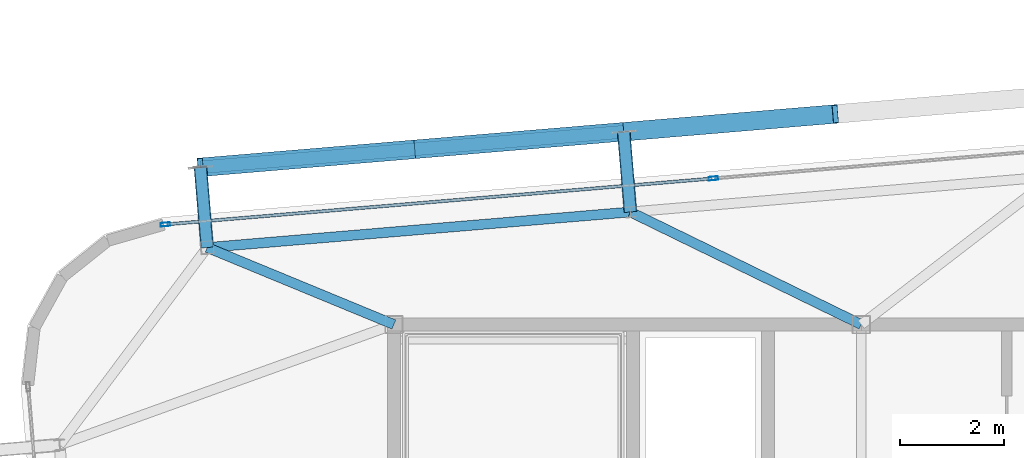
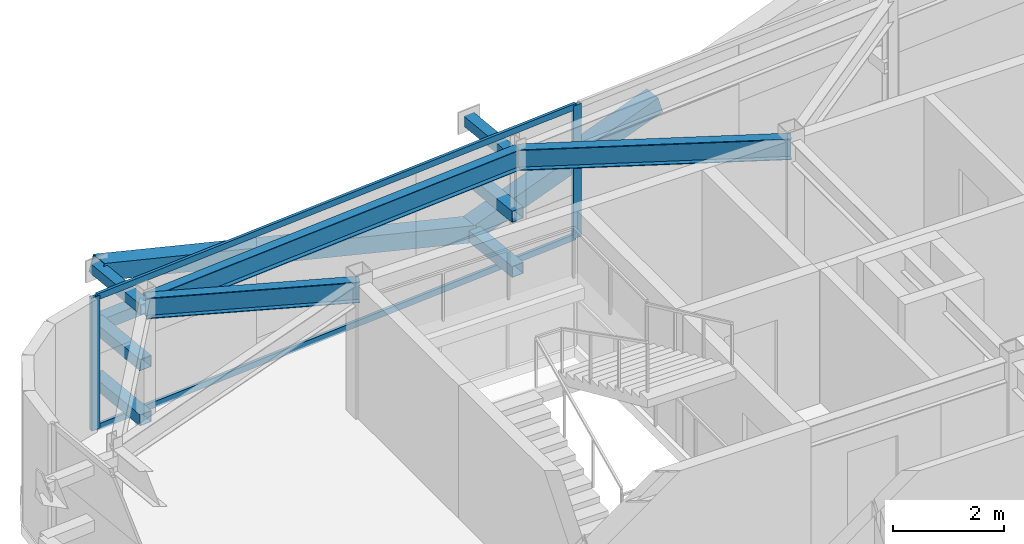
# One storey, part 21 of 37: 14 members, 3 beams, 1 element without a shape of its own.
"""IFC4 building model written with IfcOpenShell, lengths in metres."""

import ifcopenshell
import ifcopenshell.guid

model = None  # the IFC model being written
_history = None  # IfcOwnerHistory: only IFC2X3 demands one
_inside = {}  # id of a spatial element -> (the spatial element, [elements in it])
_under = {}  # id of a project, library or spatial element -> (it, [spatial elements below it])
_declared = {}  # id of a project -> (the project, [libraries it declares])
_typed = {}  # id of a type object -> (the type object, [elements of that type])
_made_of = {}  # id of a material, layer set ... -> (it, [elements and type objects made of it])


def new_model(schema):
    """Start an empty IFC model of exactly this schema.

    Asked for "IFC4X3", IfcOpenShell would pick the latest addendum, in which some entities
    have other attributes; the version numbers below select the first issue.
    IFC2X3 requires an IfcOwnerHistory on every rooted entity: one is made here for all.
    """
    global model, _history
    if schema == "IFC4X3":
        model = ifcopenshell.file(schema_version=(4, 3, 0, 0))
    else:
        model = ifcopenshell.file(schema=schema)
    _inside.clear()
    _under.clear()
    _declared.clear()
    _typed.clear()
    _made_of.clear()
    _history = None
    if model.schema == "IFC2X3":
        org = make("IfcOrganization", Name="unknown")
        user = make(
            "IfcPersonAndOrganization",
            ThePerson=make("IfcPerson", FamilyName="unknown"),
            TheOrganization=org,
        )
        app = make(
            "IfcApplication",
            ApplicationDeveloper=org,
            Version="unknown",
            ApplicationFullName="unknown",
            ApplicationIdentifier="unknown",
        )
        _history = make(
            "IfcOwnerHistory",
            OwningUser=user,
            OwningApplication=app,
            ChangeAction="ADDED",
            CreationDate=0,
        )
    return model


def make(cls, **values):
    """One entity of the class cls with the attributes given. An attribute that is None is left unset."""
    return model.create_entity(
        cls, **{name: value for name, value in values.items() if value is not None}
    )


def rooted(cls, **values):
    """An entity with a GlobalId (a new one), such as an element, a storey or a relation."""
    return make(cls, GlobalId=ifcopenshell.guid.new(), OwnerHistory=_history, **values)


def si_unit(unit_type, name, prefix=None):
    """IfcSIUnit, for example si_unit("LENGTHUNIT", "METRE", prefix="MILLI")."""
    return make("IfcSIUnit", UnitType=unit_type, Prefix=prefix, Name=name)


def assignment(units):
    """IfcUnitAssignment: the units of a project."""
    return None if units is None else make("IfcUnitAssignment", Units=units)


def point(xyz):
    """IfcCartesianPoint."""
    return None if xyz is None else make("IfcCartesianPoint", Coordinates=xyz)


def direction(xyz):
    """IfcDirection."""
    return None if xyz is None else make("IfcDirection", DirectionRatios=xyz)


def frame(location, z_axis=None, x_axis=None):
    """IfcAxis2Placement3D, a coordinate frame: its origin and axes. An axis left out is left unset."""
    return make(
        "IfcAxis2Placement3D",
        Location=point(location),
        Axis=direction(z_axis),
        RefDirection=direction(x_axis),
    )


def frame_2d(location, x_axis=None):
    """IfcAxis2Placement2D, a coordinate frame in the plane: its origin and x axis."""
    return make(
        "IfcAxis2Placement2D", Location=point(location), RefDirection=direction(x_axis)
    )


def origin():
    """The frame at (0, 0, 0) with its axes left unset."""
    return frame((0.0, 0.0, 0.0))


def origin_2d():
    """The frame at (0, 0) in the plane with its x axis left unset."""
    return frame_2d((0.0, 0.0))


def place(relative_to, where):
    """IfcLocalPlacement: puts the frame where relative to a parent placement (None: the world)."""
    return make(
        "IfcLocalPlacement", PlacementRelTo=relative_to, RelativePlacement=where
    )


def context(
    kind, dimensions, precision=None, world=None, true_north=None, identifier=None
):
    """IfcGeometricRepresentationContext, for example the 3D "Model" context."""
    return make(
        "IfcGeometricRepresentationContext",
        ContextIdentifier=identifier,
        ContextType=kind,
        CoordinateSpaceDimension=dimensions,
        Precision=precision,
        WorldCoordinateSystem=world,
        TrueNorth=true_north,
    )


def subcontext(parent, identifier, kind, view, scale=None):
    """IfcGeometricRepresentationSubContext, for example "Body" below "Model"."""
    return make(
        "IfcGeometricRepresentationSubContext",
        ContextIdentifier=identifier,
        ContextType=kind,
        ParentContext=parent,
        TargetScale=scale,
        TargetView=view,
    )


def project(units=None, contexts=None):
    """IfcProject with its units and contexts."""
    return rooted(
        "IfcProject",
        Name="project",
        RepresentationContexts=contexts,
        UnitsInContext=assignment(units),
    )


def spatial(cls, under=None, at=None, **own):
    """A site, building, storey or space (cls), placed at a placement, below another one or the project."""
    s = rooted(cls, ObjectPlacement=at, **own)
    if under is not None:
        _under.setdefault(under.id(), (under, []))[1].append(s)
    return s


def profile(cls, at=None, kind="AREA", **sizes):
    """A parametric profile (cls). Its sizes go by their IFC names, for example OverallWidth=200.0."""
    return make(cls, ProfileType=kind, Position=at, **sizes)


def hollow_rectangle(**sizes):
    """IfcRectangleHollowProfileDef."""
    return profile("IfcRectangleHollowProfileDef", **sizes)


def i_section(**sizes):
    """IfcIShapeProfileDef."""
    return profile("IfcIShapeProfileDef", **sizes)


def extrude(swept, where, along, depth):
    """IfcExtrudedAreaSolid: the profile swept, set in the frame where, extruded along a direction by depth."""
    return make(
        "IfcExtrudedAreaSolid",
        SweptArea=swept,
        Position=where,
        ExtrudedDirection=direction(along),
        Depth=depth,
    )


def shape(context_of_items, identifier, shape_type, items):
    """IfcShapeRepresentation: the items that make up one representation, for example the "Body"."""
    return make(
        "IfcShapeRepresentation",
        ContextOfItems=context_of_items,
        RepresentationIdentifier=identifier,
        RepresentationType=shape_type,
        Items=items,
    )


def source(mapping_origin, context_of_items, identifier, shape_type, items):
    """IfcRepresentationMap: a shape defined once, which mapped items show again and again."""
    return make(
        "IfcRepresentationMap",
        MappingOrigin=mapping_origin,
        MappedRepresentation=shape(context_of_items, identifier, shape_type, items),
    )


def transform(
    local_origin,
    x_axis=None,
    y_axis=None,
    z_axis=None,
    scale=None,
    scale2=None,
    scale3=None,
    uniform=True,
):
    """IfcCartesianTransformationOperator3D, or its non-uniform kind. x_axis, y_axis, z_axis: its Axis1, 2, 3."""
    if uniform:
        return make(
            "IfcCartesianTransformationOperator3D",
            Axis1=direction(x_axis),
            Axis2=direction(y_axis),
            LocalOrigin=point(local_origin),
            Scale=scale,
            Axis3=direction(z_axis),
        )
    return make(
        "IfcCartesianTransformationOperator3DnonUniform",
        Axis1=direction(x_axis),
        Axis2=direction(y_axis),
        LocalOrigin=point(local_origin),
        Scale=scale,
        Axis3=direction(z_axis),
        Scale2=scale2,
        Scale3=scale3,
    )


def mapped(mapping_source, mapping_target):
    """IfcMappedItem: shows the shape of a source again, moved by a transform."""
    return make(
        "IfcMappedItem", MappingSource=mapping_source, MappingTarget=mapping_target
    )


def material(Name=None, Category=None):
    """IfcMaterial."""
    return make("IfcMaterial", Name=Name, Category=Category)


def layer(
    of_material, thickness, ventilated=None, Name=None, Category=None, Priority=None
):
    """IfcMaterialLayer: one layer of a wall or slab, of a material (None: an air gap)."""
    return make(
        "IfcMaterialLayer",
        Material=of_material,
        LayerThickness=thickness,
        IsVentilated=ventilated,
        Name=Name,
        Category=Category,
        Priority=Priority,
    )


def layer_set(layers, Name=None):
    """IfcMaterialLayerSet."""
    return make("IfcMaterialLayerSet", MaterialLayers=layers, LayerSetName=Name)


def material_profile(
    of_material, cross_section, Name=None, Category=None, Priority=None
):
    """IfcMaterialProfile: a cross section and its material."""
    return make(
        "IfcMaterialProfile",
        Name=Name,
        Material=of_material,
        Profile=cross_section,
        Priority=Priority,
        Category=Category,
    )


def profile_set(profiles, Name=None, composite=None):
    """IfcMaterialProfileSet."""
    return make(
        "IfcMaterialProfileSet",
        Name=Name,
        MaterialProfiles=profiles,
        CompositeProfile=composite,
    )


def made_of(thing, what):
    """Note that an element or type object is made of a material, layer set ...; save() writes the relation."""
    if what is not None:
        _made_of.setdefault(what.id(), (what, []))[1].append(thing)
    return thing


def type_object(cls, material=None, **own):
    """A type object (cls), such as IfcWallType, which elements share."""
    return made_of(rooted(cls, **own), material)


def element(
    cls,
    number,
    at=None,
    inside=None,
    cuts=None,
    type_object=None,
    material=None,
    context=None,
    identifier="Body",
    shape_type=None,
    held_by="IfcProductDefinitionShape",
    body=None,
    shapes=None,
    **own,
):
    """One element of the class cls, such as IfcWall. Its Tag is "e" and its number.

    at: its placement. inside: the storey or other place that contains it. cuts: it is an
    opening in that element (IfcRelVoidsElement). A single representation is given by context,
    identifier, shape_type and body (its items); several are given by shapes. held_by: the class
    of the entity that holds the representations. save() writes the other relations.
    """
    e = rooted(cls, Tag="e%d" % number, ObjectPlacement=at, **own)
    if body is not None:
        shapes = [shape(context, identifier, shape_type, body)]
    if shapes is not None:
        e.Representation = make(held_by, Representations=shapes)
    if inside is not None:
        _inside.setdefault(inside.id(), (inside, []))[1].append(e)
    if cuts is not None:
        rooted(
            "IfcRelVoidsElement", RelatingBuildingElement=cuts, RelatedOpeningElement=e
        )
    if type_object is not None:
        _typed.setdefault(type_object.id(), (type_object, []))[1].append(e)
    return made_of(e, material)


def aggregate(whole, parts):
    """IfcRelAggregates: a whole, such as a stair, and the parts it consists of."""
    return rooted("IfcRelAggregates", RelatingObject=whole, RelatedObjects=parts)


def save(model, path):
    """Write the relations noted so far, then the file.

    IfcRelAggregates (storeys below a building ...), IfcRelContainedInSpatialStructure (elements
    in a storey), IfcRelDefinesByType, IfcRelAssociatesMaterial and IfcRelDeclares: one each for
    every whole, place, type object, material and project.
    """
    for whole, parts in _under.values():
        aggregate(whole, parts)
    for where, things in _inside.values():
        rooted(
            "IfcRelContainedInSpatialStructure",
            RelatedElements=things,
            RelatingStructure=where,
        )
    for kind, things in _typed.values():
        rooted("IfcRelDefinesByType", RelatedObjects=things, RelatingType=kind)
    for what, things in _made_of.values():
        rooted("IfcRelAssociatesMaterial", RelatedObjects=things, RelatingMaterial=what)
    for by, libraries in _declared.values():
        rooted("IfcRelDeclares", RelatingContext=by, RelatedDefinitions=libraries)
    model.write(path)


model = new_model("IFC4")

# Units and contexts
model_context = context("Model", 3, precision=1e-05, world=origin(), true_north=direction((0.0, 1.0)))
body_context = subcontext(model_context, "Body", "Model", "MODEL_VIEW")
ifc_project = project(units=[si_unit("LENGTHUNIT", "METRE"), si_unit("AREAUNIT", "SQUARE_METRE"), si_unit("VOLUMEUNIT", "CUBIC_METRE"), si_unit("PLANEANGLEUNIT", "RADIAN"), si_unit("MASSUNIT", "GRAM", prefix="KILO")], contexts=[model_context])

# Site, building, storey
site_placement = place(None, origin())
site = spatial("IfcSite", under=ifc_project, at=site_placement, CompositionType="ELEMENT")
building_placement = place(site_placement, origin())
building = spatial("IfcBuilding", under=site, at=building_placement, Name="Taldren Reach Tower", CompositionType="ELEMENT")
storey_placement = place(building_placement, frame((0.0, 0.0, 200.89990234375)))
storey = spatial("IfcBuildingStorey", under=building, at=storey_placement, Name="L61", CompositionType="ELEMENT", Elevation=200.89990234375)

# Members
ifc_material_1 = material(Name="Steel Gr 350 (C350L0)", Category="steel")
ifc_material_profile_1 = material_profile(ifc_material_1, hollow_rectangle(XDim=0.25, YDim=0.25, WallThickness=0.010009765625, at=origin_2d()), Name="250x250x10.0SHS")
ifc_profile_set_1 = profile_set([ifc_material_profile_1], Name="Steel Gr 350 (C350L0)")
member_type_1 = type_object("IfcMemberType", Name="MB-POST250", PredefinedType="POST", material=ifc_profile_set_1)
shared_shape_1 = source(origin(), body_context, "Body", "SweptSolid", [
    extrude(hollow_rectangle(XDim=0.25, YDim=0.25, WallThickness=0.010009765625, at=origin_2d()), origin(), (0.0, 0.0, 1.0), 1.5498046875),
])
for number, where, z_axis, x_axis, name in (
    (1, (15.40380859375, 33.483642578125, 0.22021484375), (-0.083645141657, 0.996495604746, 0.0), (-0.996495604746, -0.083645141657, 0.0), "Exoskeleton base diaphragm tie strut B4-N1 L61"),
    (2, (15.40380859375, 33.483642578125, 1.43505859375), (-0.083645141657, 0.996495604746, 0.0), (-0.996495604746, -0.083645141657, 0.0), "Exoskeleton mid-tier diaphragm tie B4-N1 L61"),
):
    element("IfcMember", number, at=place(storey_placement, frame(where, z_axis=z_axis, x_axis=x_axis)), inside=storey, type_object=member_type_1, Name=name, PredefinedType="POST", context=body_context, shape_type="MappedRepresentation", body=[
        mapped(shared_shape_1, transform((0.0, 0.0, 0.0), scale=1.0)),
    ])
shared_shape_2 = source(origin(), body_context, "Body", "SweptSolid", [
    extrude(hollow_rectangle(XDim=0.25, YDim=0.25, WallThickness=0.010009765625, at=origin_2d()), origin(), (0.0, 0.0, 1.0), 1.550048828125),
])
for number, where, z_axis, x_axis, name in (
    (3, (23.55517578125, 34.16796875, 0.22021484375), (-0.083788408178, 0.996483568683, 0.0), (-0.996483568683, -0.083788408178, 0.0), "Exoskeleton base diaphragm tie strut B4-N2 L61"),
    (4, (23.55517578125, 34.16796875, 1.43505859375), (-0.083788408178, 0.996483568683, 0.0), (-0.996483568683, -0.083788408178, 0.0), "Exoskeleton mid-tier diaphragm tie B4-N2 L61"),
):
    element("IfcMember", number, at=place(storey_placement, frame(where, z_axis=z_axis, x_axis=x_axis)), inside=storey, type_object=member_type_1, Name=name, PredefinedType="POST", context=body_context, shape_type="MappedRepresentation", body=[
        mapped(shared_shape_2, transform((0.0, 0.0, 0.0), scale=1.0)),
    ])

# Beams
ifc_material_2 = material(Name="Steel Gr 350 (350PLUS)", Category="steel")
ifc_material_profile_2 = material_profile(ifc_material_2, i_section(OverallWidth=0.18994140625, OverallDepth=0.4541015625, WebThickness=0.008544921875, FlangeThickness=0.0126953125, at=origin_2d()), Name="460UB67.1")
ifc_profile_set_2 = profile_set([ifc_material_profile_2], Name="Steel Gr 350 (350PLUS)")
beam_type_1 = type_object("IfcBeamType", Name="SP-UB460B", PredefinedType="SPANDREL", material=ifc_profile_set_2)
shared_shape_3 = source(origin(), body_context, "Body", "SweptSolid", [
    extrude(i_section(OverallWidth=0.18994140625, OverallDepth=0.4541015625, WebThickness=0.008544921875, FlangeThickness=0.0126953125, at=origin_2d()), origin(), (0.0, 0.0, 1.0), 8.179931640625),
])
beam_1_placement = place(storey_placement, frame((23.55517578125, 34.16796875, 2.703125), z_axis=(-0.996494523218, -0.083658025296, 0.0), x_axis=(0.083658025296, -0.996494523218, 0.0)))
element("IfcBeam", 5, at=beam_1_placement, inside=storey, type_object=beam_type_1, Name="Perimeter spandrel B4 N2-N1 L61", PredefinedType="SPANDREL", context=body_context, shape_type="MappedRepresentation", body=[
    mapped(shared_shape_3, transform((0.0, 0.0, 0.0), scale=1.0)),
])
ifc_material_profile_3 = material_profile(ifc_material_2, i_section(OverallWidth=0.19091796875, OverallDepth=0.4599609375, WebThickness=0.010009765625, FlangeThickness=0.01611328125, at=origin_2d()), Name="460UB82.1")
ifc_profile_set_3 = profile_set([ifc_material_profile_3], Name="Steel Gr 350 (350PLUS)")
beam_type_2 = type_object("IfcBeamType", Name="BM-UB460A", PredefinedType="BEAM", material=ifc_profile_set_3)
shared_shape_4 = source(origin(), body_context, "Body", "SweptSolid", [
    extrude(i_section(OverallWidth=0.19091796875, OverallDepth=0.4599609375, WebThickness=0.010009765625, FlangeThickness=0.01611328125, at=origin_2d()), origin(), (0.0, 0.0, 1.0), 4.9453125),
])
beam_2_placement = place(storey_placement, frame((28.0, 32.0, 2.7001953125), z_axis=(-0.898787423235, 0.438384725823, 0.0), x_axis=(-0.438384725823, -0.898787423235, 0.0)))
element("IfcBeam", 6, at=beam_2_placement, inside=storey, type_object=beam_type_2, Name="Primary floor girder B4-N2 L61", PredefinedType="BEAM", context=body_context, shape_type="MappedRepresentation", body=[
    mapped(shared_shape_4, transform((0.0, 0.0, 0.0), scale=1.0)),
])
shared_shape_5 = source(origin(), body_context, "Body", "SweptSolid", [
    extrude(i_section(OverallWidth=0.19091796875, OverallDepth=0.4599609375, WebThickness=0.010009765625, FlangeThickness=0.01611328125, at=origin_2d()), origin(), (0.0, 0.0, 1.0), 3.89013671875),
])
beam_3_placement = place(storey_placement, frame((19.0, 32.0, 2.7001953125), z_axis=(-0.924419242179, 0.381377850287, 0.0), x_axis=(-0.381377850287, -0.924419242179, 0.0)))
element("IfcBeam", 7, at=beam_3_placement, inside=storey, type_object=beam_type_2, Name="Primary floor girder B4-N1 L61", PredefinedType="BEAM", context=body_context, shape_type="MappedRepresentation", body=[
    mapped(shared_shape_5, transform((0.0, 0.0, 0.0), scale=1.0)),
])

# Members
ifc_material_3 = material(Name="Steel Gr 450 (C450L0)", Category="steel")
ifc_material_profile_4 = material_profile(ifc_material_3, hollow_rectangle(XDim=0.219970703125, YDim=0.219970703125, WallThickness=0.00830078125, at=origin_2d()), Name="220x220x8.2SHS")
ifc_profile_set_4 = profile_set([ifc_material_profile_4], Name="Steel Gr 450 (C450L0)")
member_type_2 = type_object("IfcMemberType", Name="MB-TIE219", PredefinedType="STRUT", material=ifc_profile_set_4)
shared_shape_6 = source(origin(), body_context, "Body", "SweptSolid", [
    extrude(hollow_rectangle(XDim=0.219970703125, YDim=0.219970703125, WallThickness=0.00830078125, at=origin_2d()), origin(), (0.0, 0.0, 1.0), 1.5498046875),
])
member_1_placement = place(storey_placement, frame((15.40380859375, 33.483642578125, 2.650146484375), z_axis=(-0.083645141657, 0.996495604746, 0.0), x_axis=(-0.996495604746, -0.083645141657, 0.0)))
element("IfcMember", 8, at=member_1_placement, inside=storey, type_object=member_type_2, Name="Exoskeleton diaphragm tie strut B4-N1 L61", PredefinedType="STRUT", context=body_context, shape_type="MappedRepresentation", body=[
    mapped(shared_shape_6, transform((0.0, 0.0, 0.0), scale=1.0)),
])
shared_shape_7 = source(origin(), body_context, "Body", "SweptSolid", [
    extrude(hollow_rectangle(XDim=0.219970703125, YDim=0.219970703125, WallThickness=0.00830078125, at=origin_2d()), origin(), (0.0, 0.0, 1.0), 1.550048828125),
])
member_2_placement = place(storey_placement, frame((23.55517578125, 34.16796875, 2.650146484375), z_axis=(-0.083788408178, 0.996483568683, 0.0), x_axis=(-0.996483568683, -0.083788408178, 0.0)))
element("IfcMember", 9, at=member_2_placement, inside=storey, type_object=member_type_2, Name="Exoskeleton diaphragm tie strut B4-N2 L61", PredefinedType="STRUT", context=body_context, shape_type="MappedRepresentation", body=[
    mapped(shared_shape_7, transform((0.0, 0.0, 0.0), scale=1.0)),
])
shared_shape_8 = source(origin(), body_context, "Body", "SweptSolid", [
    extrude(hollow_rectangle(XDim=0.25, YDim=0.25, WallThickness=0.010009765625, at=origin_2d()), origin(), (0.0, 0.0, 1.0), 8.179931640625),
])
member_3_placement = place(storey_placement, frame((15.274169921875, 35.028076171875, 1.43505859375), z_axis=(0.99649182565, 0.08369015123, 0.0), x_axis=(-0.08369015123, 0.99649182565, 0.0)))
element("IfcMember", 10, at=member_3_placement, inside=storey, type_object=member_type_1, Name="Exoskeleton mid-height ring chord B4-N1 L61", PredefinedType="POST", context=body_context, shape_type="MappedRepresentation", body=[
    mapped(shared_shape_8, transform((0.0, 0.0, 0.0), scale=1.0)),
])
ifc_material_profile_5 = material_profile(ifc_material_3, hollow_rectangle(XDim=0.360107421875, YDim=0.360107421875, WallThickness=0.0126953125, at=origin_2d()), Name="360x360x12.7SHS")
ifc_profile_set_5 = profile_set([ifc_material_profile_5], Name="Steel Gr 450 (C450L0)")
member_type_3 = type_object("IfcMemberType", Name="MB-EXO356", PredefinedType="BRACE", material=ifc_profile_set_5)
shared_shape_9 = source(origin(), body_context, "Body", "SweptSolid", [
    extrude(hollow_rectangle(XDim=0.360107421875, YDim=0.360107421875, WallThickness=0.0126953125, at=origin_2d()), origin(), (0.0, 0.0, 1.0), 4.2666015625),
])
for number, where, z_axis, x_axis, name in (
    (11, (19.349853515625, 35.370361328125, 1.43505859375), (-0.955229159097, -0.080222312271, 0.284783486572), (0.083687662192, -0.996492034688, 0.0), "Exoskeleton Diagrid Brace B4-N1 L61"),
    (12, (23.42529296875, 35.712646484375, 0.22021484375), (0.955244723646, 0.080223619417, 0.284730906006), (-0.083687662192, 0.996492034688, 0.0), "Exoskeleton Diagrid Brace B4-N2 L61"),
):
    element("IfcMember", number, at=place(storey_placement, frame(where, z_axis=z_axis, x_axis=x_axis)), inside=storey, type_object=member_type_3, Name=name, PredefinedType="BRACE", context=body_context, shape_type="MappedRepresentation", body=[
        mapped(shared_shape_9, transform((0.0, 0.0, 0.0), scale=1.0)),
    ])
shared_shape_10 = source(origin(), body_context, "Body", "SweptSolid", [
    extrude(hollow_rectangle(XDim=0.360107421875, YDim=0.360107421875, WallThickness=0.0126953125, at=origin_2d()), origin(), (0.0, 0.0, 1.0), 4.266357421875),
])
member_4_placement = place(storey_placement, frame((23.42529296875, 35.712646484375, 0.22021484375), z_axis=(-0.955239715981, -0.080228004661, 0.28474647018), x_axis=(0.083692640416, -0.996491616593, 0.0)))
element("IfcMember", 13, at=member_4_placement, inside=storey, type_object=member_type_3, Name="Exoskeleton Diagrid Brace B4-N1 L61", PredefinedType="BRACE", context=body_context, shape_type="MappedRepresentation", body=[
    mapped(shared_shape_10, transform((0.0, 0.0, 0.0), scale=1.0)),
])

# Curtain wall, members
ifc_material_4 = material(Name="Aluminium and Low-E Glass Unitised System", Category="aluminium")
ifc_layer = layer(ifc_material_4, 0.159912109375)
ifc_layer_set = layer_set([ifc_layer], Name="Aluminium and Low-E Glass Unitised System")
curtain_wall_type = type_object("IfcCurtainWallType", Name="CW-SYS-5", PredefinedType="NOTDEFINED", material=ifc_layer_set)
curtain_wall_placement = place(storey_placement, origin())
curtain_wall = element("IfcCurtainWall", 14, at=curtain_wall_placement, inside=storey, type_object=curtain_wall_type, Name="Unitised curtain wall CW-L61-N", PredefinedType="NOTDEFINED")
ifc_material_5 = material(Name="Anodised Aluminium 6063-T6", Category="aluminium")
ifc_material_profile_6 = material_profile(ifc_material_5, hollow_rectangle(XDim=0.070068359375, YDim=0.179931640625, WallThickness=0.00390625, at=origin_2d()), Name="ALU-180x70x4RHS")
ifc_profile_set_6 = profile_set([ifc_material_profile_6], Name="Anodised Aluminium 6063-T6")
member_type_4 = type_object("IfcMemberType", Name="CW-MUL-180", PredefinedType="MULLION", material=ifc_profile_set_6)
shared_shape_11 = source(origin(), body_context, "Body", "SweptSolid", [
    extrude(hollow_rectangle(XDim=0.070068359375, YDim=0.179931640625, WallThickness=0.00390625, at=origin_2d()), origin(), (0.0, 0.0, 1.0), 2.93017578125),
])
member_5_placement = place(storey_placement, frame((25.151611328125, 34.81396484375, 0.0), z_axis=(0.0, 0.0, 1.0), x_axis=(0.083677875247, -0.99649285657, 0.0)))
member_5 = element("IfcMember", 15, at=member_5_placement, type_object=member_type_4, Name="CW-5 mullion 4", PredefinedType="MULLION", context=body_context, shape_type="MappedRepresentation", body=[
    mapped(shared_shape_11, transform((0.0, 0.0, 0.0), scale=1.0)),
])
member_6_placement = place(storey_placement, frame((14.598876953125, 33.927734375, 0.0), z_axis=(0.0, 0.0, 1.0), x_axis=(0.083677875247, -0.99649285657, 0.0)))
member_6 = element("IfcMember", 16, at=member_6_placement, type_object=member_type_4, Name="CW-5 mullion 5", PredefinedType="MULLION", context=body_context, shape_type="MappedRepresentation", body=[
    mapped(shared_shape_11, transform((0.0, 0.0, 0.0), scale=1.0)),
])
ifc_material_profile_7 = material_profile(ifc_material_5, hollow_rectangle(XDim=0.06005859375, YDim=0.135009765625, WallThickness=0.00341796875, at=origin_2d()), Name="ALU-135x60x3.5RHS")
ifc_profile_set_7 = profile_set([ifc_material_profile_7], Name="Anodised Aluminium 6063-T6")
member_type_5 = type_object("IfcMemberType", Name="CW-TRN-150", PredefinedType="USERDEFINED", material=ifc_profile_set_7)
shared_shape_12 = source(origin(), body_context, "Body", "SweptSolid", [
    extrude(hollow_rectangle(XDim=0.06005859375, YDim=0.135009765625, WallThickness=0.00341796875, at=origin_2d()), origin(), (0.0, 0.0, 1.0), 10.519775390625),
])
member_7_placement = place(storey_placement, frame((25.11669921875, 34.81103515625, 0.030029296875), z_axis=(-0.996492094046, -0.083686955404, 0.0), x_axis=(0.083686955404, -0.996492094046, 0.0)))
member_7 = element("IfcMember", 17, at=member_7_placement, type_object=member_type_5, Name="CW-5 transom 4.1", ObjectType="TRANSOM", PredefinedType="USERDEFINED", context=body_context, shape_type="MappedRepresentation", body=[
    mapped(shared_shape_12, transform((0.0, 0.0, 0.0), scale=1.0)),
])
member_8_placement = place(storey_placement, frame((25.11669921875, 34.81103515625, 2.900146484375), z_axis=(-0.996492094046, -0.083686955404, 0.0), x_axis=(0.083686955404, -0.996492094046, 0.0)))
member_8 = element("IfcMember", 18, at=member_8_placement, type_object=member_type_5, Name="CW-5 transom 4.2", ObjectType="TRANSOM", PredefinedType="USERDEFINED", context=body_context, shape_type="MappedRepresentation", body=[
    mapped(shared_shape_12, transform((0.0, 0.0, 0.0), scale=1.0)),
])
aggregate(curtain_wall, [member_5, member_6, member_7, member_8])

save(model, "model.ifc")
